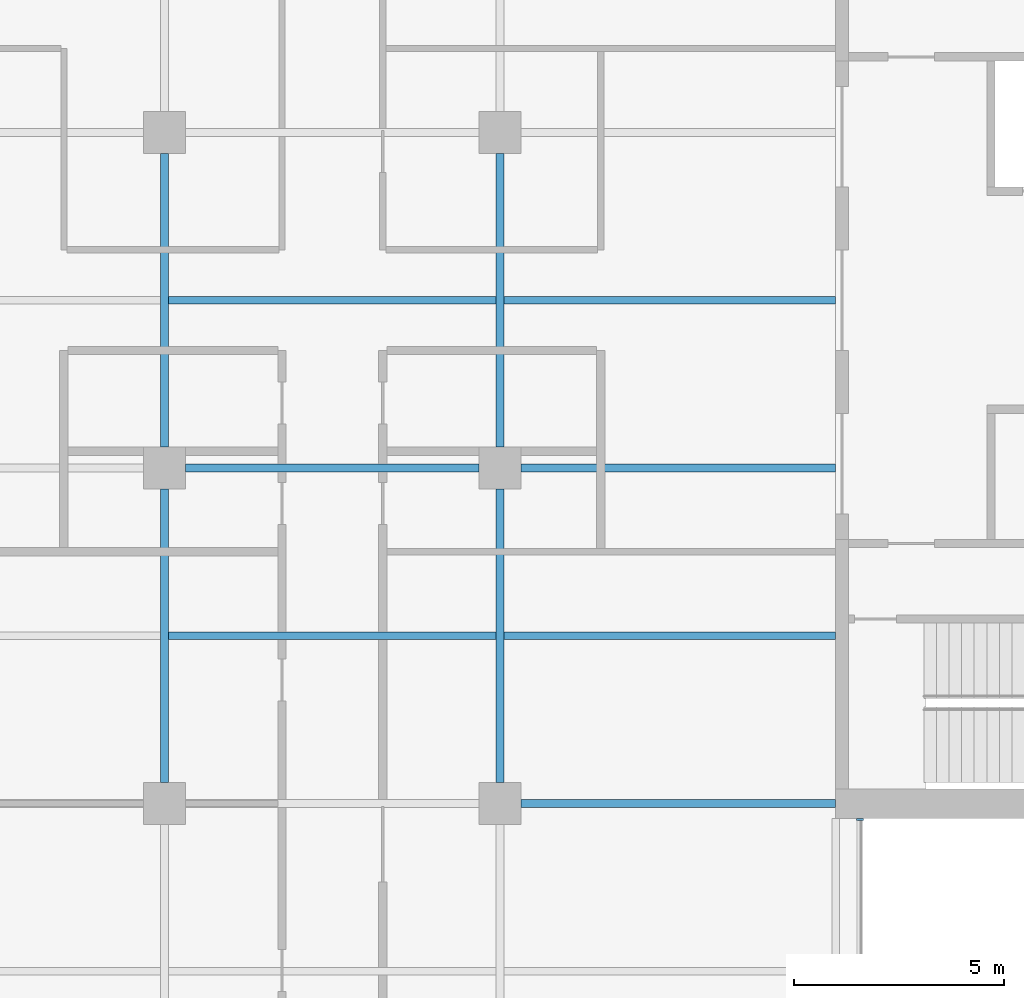
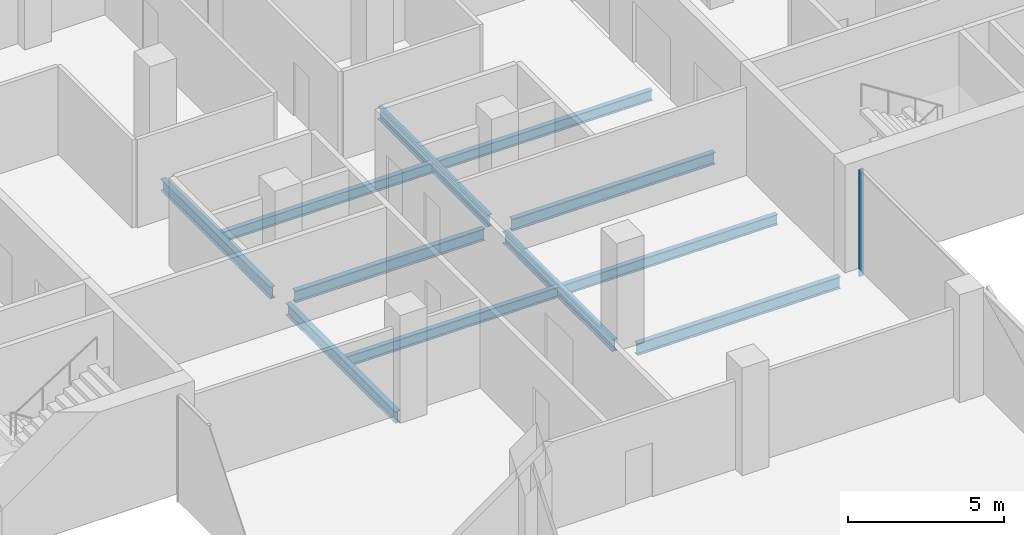
# One storey, part 6 of 22: 11 beams, 1 member, 1 element without a shape of its own.
"""IFC4 building model written with IfcOpenShell, lengths in metres."""

from ifc_helpers import new_model, si_unit, direction, frame, origin, origin_2d, place, context, subcontext, project, spatial, rectangle, i_section, extrude, material, material_profile, profile_set, type_object, element, aggregate, save


model = new_model("IFC4")

# Units and contexts
model_context = context("Model", 3, precision=1e-05, world=origin(), true_north=direction((0.0, 1.0)))
body_context = subcontext(model_context, "Body", "Model", "MODEL_VIEW")
ifc_project = project(units=[si_unit("LENGTHUNIT", "METRE"), si_unit("AREAUNIT", "SQUARE_METRE"), si_unit("VOLUMEUNIT", "CUBIC_METRE"), si_unit("PLANEANGLEUNIT", "RADIAN"), si_unit("MASSUNIT", "GRAM", prefix="KILO")], contexts=[model_context])

# Site, building, storey
site_placement = place(None, origin())
site = spatial("IfcSite", under=ifc_project, at=site_placement, CompositionType="ELEMENT")
building_placement = place(site_placement, origin())
building = spatial("IfcBuilding", under=site, at=building_placement, Name="Crosswind Convention Tower", CompositionType="ELEMENT")
storey_placement = place(building_placement, frame((0.0, 0.0, 163.10009765625)))
storey = spatial("IfcBuildingStorey", under=building, at=storey_placement, Name="L34", CompositionType="ELEMENT", Elevation=163.10009765625)

# Beams
ifc_material_1 = material(Name="Steel S355", Category="steel")
ifc_material_profile_1 = material_profile(ifc_material_1, i_section(OverallWidth=0.19140625, OverallDepth=0.460205078125, WebThickness=0.010009765625, FlangeThickness=0.01611328125, FilletRadius=0.01025390625, at=origin_2d()), Name="UB 457x191x82")
ifc_profile_set_1 = profile_set([ifc_material_profile_1], Name="Steel S355")
beam_type_1 = type_object("IfcBeamType", Name="Girder UB 457x191x82", PredefinedType="BEAM", material=ifc_profile_set_1)
for number, where, z_axis, x_axis, name in (
    (1, (121.0, 88.5, -0.5302734375), (0.0, 1.0, 0.0), (-1.0, 0.0, 0.0), "B3 L34 girder 5"),
    (2, (121.0, 96.5, -0.5302734375), (0.0, 1.0, 0.0), (-1.0, 0.0, 0.0), "B3 L34 girder 6"),
    (3, (121.5, 96.0, -0.5302734375), (1.0, 0.0, 0.0), (0.0, 1.0, 0.0), "B3 L34 girder 12"),
    (4, (129.0, 88.5, -0.5302734375), (0.0, 1.0, 0.0), (-1.0, 0.0, 0.0), "B3 L34 girder 18"),
    (5, (129.0, 96.5, -0.5302734375), (0.0, 1.0, 0.0), (-1.0, 0.0, 0.0), "B3 L34 girder 19"),
):
    element("IfcBeam", number, at=place(storey_placement, frame(where, z_axis=z_axis, x_axis=x_axis)), inside=storey, type_object=beam_type_1, Name=name, PredefinedType="BEAM", context=body_context, shape_type="SweptSolid", body=[
        extrude(i_section(OverallWidth=0.19140625, OverallDepth=0.460205078125, WebThickness=0.010009765625, FlangeThickness=0.01611328125, FilletRadius=0.01025390625, at=origin_2d()), origin(), (0.0, 0.0, 1.0), 7.0),
    ])
ifc_material_profile_2 = material_profile(ifc_material_1, i_section(OverallWidth=0.19189453125, OverallDepth=0.463623046875, WebThickness=0.010498046875, FlangeThickness=0.017578125, FilletRadius=0.01025390625, at=origin_2d()), Name="UB 457x191x90")
ifc_profile_set_2 = profile_set([ifc_material_profile_2], Name="Steel S355")
beam_type_2 = type_object("IfcBeamType", Name="Girder at core wall UB 457x191x90", PredefinedType="BEAM", material=ifc_profile_set_2)
for number, where, z_axis, x_axis, name in (
    (6, (129.5, 88.0, -0.531982421875), (1.0, 0.0, 0.0), (0.0, 1.0, 0.0), "B24 L34 girder at core wall 7"),
    (7, (129.5, 96.0, -0.531982421875), (1.0, 0.0, 0.0), (0.0, 1.0, 0.0), "B24 L34 girder at core wall 8"),
):
    element("IfcBeam", number, at=place(storey_placement, frame(where, z_axis=z_axis, x_axis=x_axis)), inside=storey, type_object=beam_type_2, Name=name, PredefinedType="BEAM", context=body_context, shape_type="SweptSolid", body=[
        extrude(i_section(OverallWidth=0.19189453125, OverallDepth=0.463623046875, WebThickness=0.010498046875, FlangeThickness=0.017578125, FilletRadius=0.01025390625, at=origin_2d()), origin(), (0.0, 0.0, 1.0), 7.5),
    ])

# Curtain wall, member
ifc_material_2 = material(Name="Aluminium unitised curtain wall", Category="aluminium")
curtain_wall_type = type_object("IfcCurtainWallType", Name="CORE END SLOT WALL 160", PredefinedType="USERDEFINED", material=ifc_material_2)
curtain_wall_placement = place(storey_placement, origin())
curtain_wall = element("IfcCurtainWall", 8, at=curtain_wall_placement, inside=storey, type_object=curtain_wall_type, Name="CW6 L34 S-E.1-2 slot", ObjectType="UNITISED", PredefinedType="USERDEFINED")
ifc_material_3 = material(Name="Aluminium mullion", Category="aluminium")
ifc_material_profile_3 = material_profile(ifc_material_3, rectangle(XDim=0.159912109375, YDim=0.050048828125, at=origin_2d()), Name="AL 160X50")
ifc_profile_set_3 = profile_set([ifc_material_profile_3], Name="Aluminium mullion")
member_type = type_object("IfcMemberType", Name="MULLION 50X160", PredefinedType="MULLION", material=ifc_profile_set_3)
member_placement = place(storey_placement, frame((137.580078125, 87.625, -0.300048828125), z_axis=(0.0, 0.0, 1.0), x_axis=(1.0, 0.0, 0.0)))
member = element("IfcMember", 9, at=member_placement, type_object=member_type, Name="CW6 mullion 2", PredefinedType="MULLION", context=body_context, shape_type="SweptSolid", body=[
    extrude(rectangle(XDim=0.159912109375, YDim=0.050048828125, at=origin_2d()), origin(), (0.0, 0.0, 1.0), 4.14990234375),
])
aggregate(curtain_wall, [member])

# Beams
ifc_material_profile_4 = material_profile(ifc_material_1, i_section(OverallWidth=0.177734375, OverallDepth=0.406494140625, WebThickness=0.0078125, FlangeThickness=0.0126953125, FilletRadius=0.01025390625, at=origin_2d()), Name="UB 406x178x60")
ifc_profile_set_4 = profile_set([ifc_material_profile_4], Name="Steel S355")
beam_type_3 = type_object("IfcBeamType", Name="Secondary beam UB 406x178x60", PredefinedType="JOIST", material=ifc_profile_set_4)
for number, where, z_axis, x_axis, name in (
    (10, (121.095703125, 92.0, -0.50341796875), (1.0, 0.0, 0.0), (0.0, 1.0, 0.0), "B10 L34 secondary beam 13"),
    (11, (121.095703125, 100.0, -0.50341796875), (1.0, 0.0, 0.0), (0.0, 1.0, 0.0), "B10 L34 secondary beam 14"),
):
    element("IfcBeam", number, at=place(storey_placement, frame(where, z_axis=z_axis, x_axis=x_axis)), inside=storey, type_object=beam_type_3, Name=name, PredefinedType="JOIST", context=body_context, shape_type="SweptSolid", body=[
        extrude(i_section(OverallWidth=0.177734375, OverallDepth=0.406494140625, WebThickness=0.0078125, FlangeThickness=0.0126953125, FilletRadius=0.01025390625, at=origin_2d()), origin(), (0.0, 0.0, 1.0), 7.80859375),
    ])
for number, where, z_axis, x_axis, name in (
    (12, (129.095703125, 92.0, -0.50341796875), (1.0, 0.0, 0.0), (0.0, 1.0, 0.0), "B10 L34 secondary beam 20"),
    (13, (129.095703125, 100.0, -0.50341796875), (1.0, 0.0, 0.0), (0.0, 1.0, 0.0), "B10 L34 secondary beam 21"),
):
    element("IfcBeam", number, at=place(storey_placement, frame(where, z_axis=z_axis, x_axis=x_axis)), inside=storey, type_object=beam_type_3, Name=name, PredefinedType="JOIST", context=body_context, shape_type="SweptSolid", body=[
        extrude(i_section(OverallWidth=0.177734375, OverallDepth=0.406494140625, WebThickness=0.0078125, FlangeThickness=0.0126953125, FilletRadius=0.01025390625, at=origin_2d()), origin(), (0.0, 0.0, 1.0), 7.904296875),
    ])

save(model, "model.ifc")
